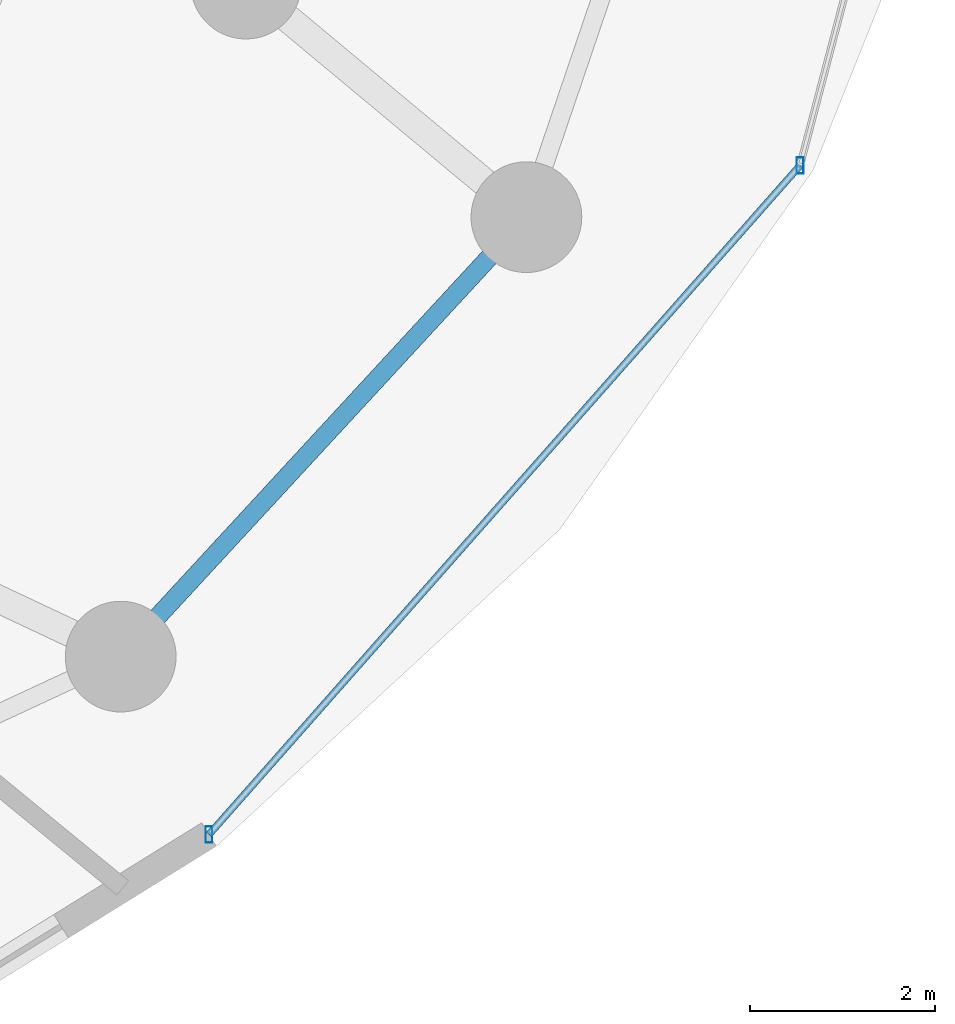
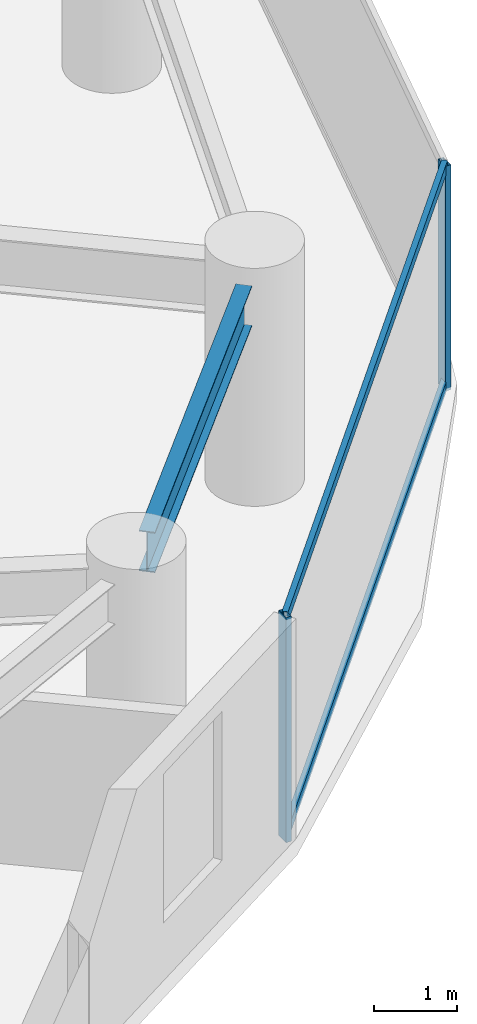
# One storey, part 11 of 30: 4 members, 1 beam, 1 element without a shape of its own.
"""IFC4 building model written with IfcOpenShell, lengths in metres."""

from ifc_helpers import new_model, si_unit, direction, frame, origin, origin_2d, place, context, subcontext, project, spatial, hollow_rectangle, i_section, extrude, material, material_profile, profile_set, type_object, element, aggregate, save


model = new_model("IFC4")

# Units and contexts
model_context = context("Model", 3, precision=1e-05, world=origin(), true_north=direction((0.0, 1.0)))
body_context = subcontext(model_context, "Body", "Model", "MODEL_VIEW")
ifc_project = project(units=[si_unit("LENGTHUNIT", "METRE"), si_unit("AREAUNIT", "SQUARE_METRE"), si_unit("VOLUMEUNIT", "CUBIC_METRE"), si_unit("PLANEANGLEUNIT", "RADIAN"), si_unit("MASSUNIT", "GRAM", prefix="KILO")], contexts=[model_context])

# Site, building, storey
site_placement = place(None, origin())
site = spatial("IfcSite", under=ifc_project, at=site_placement, CompositionType="ELEMENT")
building_placement = place(site_placement, origin())
building = spatial("IfcBuilding", under=site, at=building_placement, Name="Vorneva Point Tower", CompositionType="ELEMENT")
storey_placement = place(building_placement, frame((0.0, 0.0, 55.5)))
storey = spatial("IfcBuildingStorey", under=building, at=storey_placement, Name="L14", CompositionType="ELEMENT", Elevation=55.5)

# Beam
ifc_material_1 = material(Name="Steel S355", Category="steel")
ifc_material_profile_1 = material_profile(ifc_material_1, i_section(OverallWidth=0.198974609375, OverallDepth=0.595947265625, WebThickness=0.010009765625, FlangeThickness=0.014892578125, at=origin_2d()), Name="60B1")
ifc_profile_set_1 = profile_set([ifc_material_profile_1], Name="Steel S355")
beam_type = type_object("IfcBeamType", Name="BM-SPN-60B1", PredefinedType="SPANDREL", material=ifc_profile_set_1)
beam_placement = place(storey_placement, frame((58.33544921875, 12.553955078125, 2.94189453125), z_axis=(0.678272466193, 0.734810493668, 0.0), x_axis=(-0.734810493668, 0.678272466193, 0.0)))
element("IfcBeam", 1, at=beam_placement, inside=storey, type_object=beam_type, Name="L14 Perimeter Spandrel Ring Beam 15", PredefinedType="SPANDREL", context=body_context, shape_type="SweptSolid", body=[
    extrude(i_section(OverallWidth=0.198974609375, OverallDepth=0.595947265625, WebThickness=0.010009765625, FlangeThickness=0.014892578125, at=origin_2d()), origin(), (0.0, 0.0, 1.0), 5.311279296875),
])

# Curtain wall, members
ifc_material_2 = material(Name="Pale anodised aluminium", Category="aluminium")
curtain_wall_type = type_object("IfcCurtainWallType", Name="CW-HTL-SYS", PredefinedType="NOTDEFINED", material=ifc_material_2)
curtain_wall_placement = place(storey_placement, origin())
curtain_wall = element("IfcCurtainWall", 2, at=curtain_wall_placement, inside=storey, type_object=curtain_wall_type, Name="L14 Unitised Curtain Wall CW-L14-R01", PredefinedType="NOTDEFINED")
ifc_material_profile_2 = material_profile(ifc_material_2, hollow_rectangle(XDim=0.074951171875, YDim=0.179931640625, WallThickness=0.00390625, at=origin_2d()), Name="AL-MUL 180x75x4")
ifc_profile_set_2 = profile_set([ifc_material_profile_2], Name="Pale anodised aluminium")
member_type_1 = type_object("IfcMemberType", Name="CW-MUL-180", PredefinedType="MULLION", material=ifc_profile_set_2)
member_1_placement = place(storey_placement, frame((58.89501953125, 10.1962890625, -0.0400390625), z_axis=(0.0, 0.0, 1.0), x_axis=(1.0, 0.0, 0.0)))
member_1 = element("IfcMember", 3, at=member_1_placement, type_object=member_type_1, Name="CW-L14-R01 Mullion 01", PredefinedType="MULLION", context=body_context, shape_type="SweptSolid", body=[
    extrude(hollow_rectangle(XDim=0.074951171875, YDim=0.179931640625, WallThickness=0.00390625, at=origin_2d()), origin(), (0.0, 0.0, 1.0), 3.31005859375),
])
member_2_placement = place(storey_placement, frame((65.300537109375, 17.447021484375, -0.0400390625), z_axis=(0.0, 0.0, 1.0), x_axis=(1.0, 0.0, 0.0)))
member_2 = element("IfcMember", 4, at=member_2_placement, type_object=member_type_1, Name="CW-L14-R01 Mullion 02", PredefinedType="MULLION", context=body_context, shape_type="SweptSolid", body=[
    extrude(hollow_rectangle(XDim=0.074951171875, YDim=0.179931640625, WallThickness=0.00390625, at=origin_2d()), origin(), (0.0, 0.0, 1.0), 3.31005859375),
])
ifc_material_profile_3 = material_profile(ifc_material_2, hollow_rectangle(XDim=0.074951171875, YDim=0.14990234375, WallThickness=0.00390625, at=origin_2d()), Name="AL-TRN 150x75x4")
ifc_profile_set_3 = profile_set([ifc_material_profile_3], Name="Pale anodised aluminium")
member_type_2 = type_object("IfcMemberType", Name="CW-TRN-150", PredefinedType="USERDEFINED", material=ifc_profile_set_3)
member_3_placement = place(storey_placement, frame((58.89501953125, 10.1962890625, 0.02001953125), z_axis=(0.662075539029, 0.749437109182, 0.0), x_axis=(-0.749437109182, 0.662075539029, 0.0)))
member_3 = element("IfcMember", 5, at=member_3_placement, type_object=member_type_2, Name="CW-L14-R01 Transom 01.1", ObjectType="TRANSOM", PredefinedType="USERDEFINED", context=body_context, shape_type="SweptSolid", body=[
    extrude(hollow_rectangle(XDim=0.074951171875, YDim=0.14990234375, WallThickness=0.00390625, at=origin_2d()), origin(), (0.0, 0.0, 1.0), 9.6748046875),
])
member_4_placement = place(storey_placement, frame((58.89501953125, 10.1962890625, 3.219970703125), z_axis=(0.662075539029, 0.749437109182, 0.0), x_axis=(-0.749437109182, 0.662075539029, 0.0)))
member_4 = element("IfcMember", 6, at=member_4_placement, type_object=member_type_2, Name="CW-L14-R01 Transom 01.2", ObjectType="TRANSOM", PredefinedType="USERDEFINED", context=body_context, shape_type="SweptSolid", body=[
    extrude(hollow_rectangle(XDim=0.074951171875, YDim=0.14990234375, WallThickness=0.00390625, at=origin_2d()), origin(), (0.0, 0.0, 1.0), 9.6748046875),
])
aggregate(curtain_wall, [member_1, member_2, member_3, member_4])

save(model, "model.ifc")
